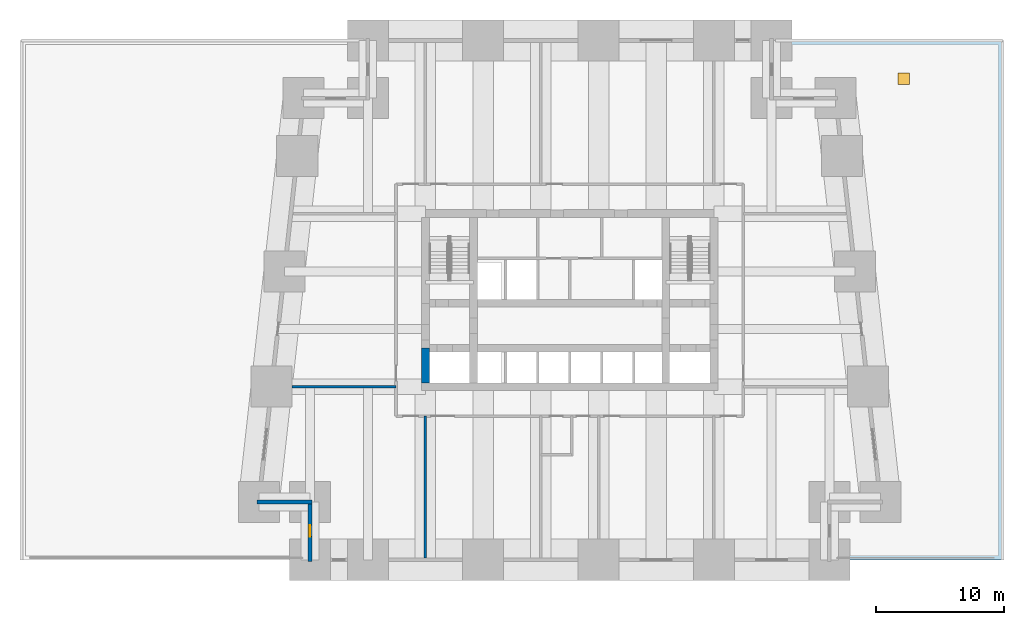
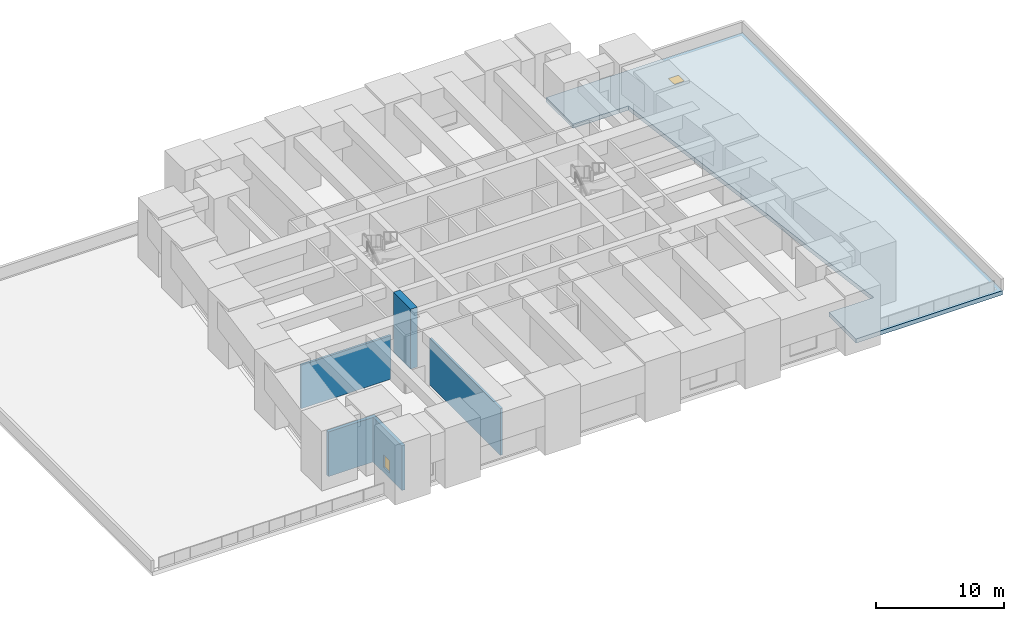
# One storey, part 2 of 7: 5 walls, 2 windows, 1 slab, 2 openings.
"""IFC4 building model written with IfcOpenShell, lengths in metres."""

from ifc_helpers import new_model, si_unit, direction, frame, frame_2d, origin, origin_2d, place, context, subcontext, project, spatial, polyline, rectangle, outline, extrude, material, layer, layer_set, type_object, element, fill, save


model = new_model("IFC4")

# Units and contexts
model_context = context("Model", 3, precision=1e-05, world=origin(), true_north=direction((0.0, 1.0)))
body_context = subcontext(model_context, "Body", "Model", "MODEL_VIEW")
ifc_project = project(units=[si_unit("LENGTHUNIT", "METRE"), si_unit("AREAUNIT", "SQUARE_METRE"), si_unit("VOLUMEUNIT", "CUBIC_METRE"), si_unit("PLANEANGLEUNIT", "RADIAN"), si_unit("MASSUNIT", "GRAM", prefix="KILO")], contexts=[model_context])

# Site, building, storey
site_placement = place(None, origin())
site = spatial("IfcSite", under=ifc_project, at=site_placement, CompositionType="ELEMENT")
building_placement = place(site_placement, origin())
building = spatial("IfcBuilding", under=site, at=building_placement, Name="Kilele Tower Hotel", CompositionType="ELEMENT")
storey_placement = place(building_placement, frame((0.0, 0.0, 24.0)))
storey = spatial("IfcBuildingStorey", under=building, at=storey_placement, Name="L04", CompositionType="ELEMENT", Elevation=24.0)

# Slab, opening, window
ifc_material_1 = material(Name="Concrete C60/75", Category="concrete")
ifc_layer_1 = layer(ifc_material_1, 0.39990234375)
ifc_layer_set_1 = layer_set([ifc_layer_1], Name="Concrete C60/75")
slab_type = type_object("IfcSlabType", Name="Roof slab 400", PredefinedType="ROOF", material=ifc_layer_set_1)
slab_placement = place(storey_placement, frame((0.0, 0.0, -0.39990234375)))
slab = element("IfcSlab", 1, at=slab_placement, inside=storey, type_object=slab_type, Name="Roof slab level L04", PredefinedType="ROOF", context=body_context, shape_type="SweptSolid", body=[
    extrude(outline(polyline([(58.5, 40.5), (58.5, 0.0), (45.301025390625, 0.0), (45.301025390625, 4.198974609375), (49.335205078125, 4.198974609375), (49.335205078125, 4.198974609375), (49.33544921875, 4.198974609375), (49.33544921875, 4.198974609375), (49.335693359375, 4.19921875), (49.335693359375, 4.19921875), (49.335693359375, 4.19921875), (49.335693359375, 4.19921875), (49.3359375, 4.19921875), (49.3359375, 4.199462890625), (49.3359375, 4.199462890625), (49.336181640625, 4.199462890625), (49.336181640625, 4.19970703125), (49.336181640625, 4.19970703125), (49.336181640625, 4.19970703125), (49.336181640625, 4.199951171875), (49.336181640625, 4.199951171875), (49.336181640625, 4.2001953125), (45.76953125, 36.300048828125), (45.76953125, 36.30029296875), (45.76953125, 36.30029296875), (45.769287109375, 36.30029296875), (45.769287109375, 36.300537109375), (45.769287109375, 36.300537109375), (45.769287109375, 36.300537109375), (45.769287109375, 36.30078125), (45.76904296875, 36.30078125), (45.76904296875, 36.30078125), (45.76904296875, 36.30078125), (45.768798828125, 36.30078125), (45.768798828125, 36.301025390625), (45.768798828125, 36.301025390625), (45.7685546875, 36.301025390625), (45.7685546875, 36.301025390625), (40.801025390625, 36.301025390625), (40.801025390625, 40.5), (58.5, 40.5)])), origin(), (0.0, 0.0, 1.0), 0.39990234375),
])
opening_1_placement = place(slab_placement, frame((50.800048828125, 37.5, 0.0)))
opening_1 = element("IfcOpeningElement", 2, at=opening_1_placement, cuts=slab, Name="Opening RH1", PredefinedType="OPENING", context=body_context, shape_type="SweptSolid", body=[
    extrude(rectangle(XDim=0.89990234375, YDim=0.89990234375, at=origin_2d()), origin(), (0.0, 0.0, 1.0), 0.39990234375),
])
ifc_material_2 = material(Name="Aluminium roof hatch", Category="aluminium")
window_type_1 = type_object("IfcWindowType", Name="Roof access hatch 900", PartitioningType="SINGLE_PANEL", PredefinedType="SKYLIGHT", material=ifc_material_2)
window_1_placement = place(opening_1_placement, frame((0.0, 0.0, 0.349853515625)))
window_1 = element("IfcWindow", 3, at=window_1_placement, inside=storey, type_object=window_type_1, Name="Roof access hatch", OverallHeight=0.89990234375, OverallWidth=0.89990234375, PartitioningType="SINGLE_PANEL", PredefinedType="SKYLIGHT", context=body_context, shape_type="SweptSolid", body=[
    extrude(rectangle(XDim=0.89990234375, YDim=0.89990234375, at=origin_2d()), origin(), (0.0, 0.0, 1.0), 0.050048828125),
])
fill(opening_1, window_1)

# Walls
ifc_material_3 = material(Name="Concrete C60/75", Category="concrete")
ifc_layer_2 = layer(ifc_material_3, 0.60009765625)
ifc_layer_set_2 = layer_set([ifc_layer_2], Name="Concrete C60/75")
wall_type_1 = type_object("IfcWallType", Name="Core wall 600 C60/75", PredefinedType="SHEAR", material=ifc_layer_set_2)
wall_1_placement = place(storey_placement, frame((13.5, 16.5, 0.0), z_axis=(0.0, 0.0, 1.0), x_axis=(0.0, -1.0, 0.0)))
element("IfcWall", 4, at=wall_1_placement, inside=storey, type_object=wall_type_1, Name="Core wall W3 L04", PredefinedType="SHEAR", context=body_context, shape_type="SweptSolid", body=[
    extrude(rectangle(XDim=2.699951171875, YDim=0.60009765625, at=frame_2d((1.35009765625, 0.0))), origin(), (0.0, 0.0, 1.0), 5.699951171875),
])
ifc_material_4 = material(Name="Blockwork, plastered both sides", Category="masonry")
ifc_layer_3 = layer(ifc_material_4, 0.199951171875)
ifc_layer_set_3 = layer_set([ifc_layer_3], Name="Blockwork, plastered both sides")
wall_type_2 = type_object("IfcWallType", Name="Partition wall 200", PredefinedType="PARTITIONING", material=ifc_layer_set_3)
wall_2_placement = place(storey_placement, frame((13.5, 11.199951171875, 0.0), z_axis=(0.0, 0.0, 1.0), x_axis=(0.0, -1.0, 0.0)))
element("IfcWall", 5, at=wall_2_placement, inside=storey, type_object=wall_type_2, Name="Partition wall 200 L04", PredefinedType="PARTITIONING", context=body_context, shape_type="SweptSolid", body=[
    extrude(rectangle(XDim=11.050048828125, YDim=0.199951171875, at=frame_2d((5.52490234375, 0.0))), origin(), (0.0, 0.0, 1.0), 4.449951171875),
])
wall_3_placement = place(storey_placement, frame((11.199951171875, 13.5, 0.0), z_axis=(0.0, 0.0, 1.0), x_axis=(-1.0, 0.0, 0.0)))
element("IfcWall", 6, at=wall_3_placement, inside=storey, type_object=wall_type_2, Name="Partition wall 200 L04", PredefinedType="PARTITIONING", context=body_context, shape_type="SweptSolid", body=[
    extrude(rectangle(XDim=8.09912109375, YDim=0.199951171875, at=frame_2d((4.049560546875, 0.0))), origin(), (0.0, 0.0, 1.0), 4.14990234375),
])
ifc_material_5 = material(Name="Concrete C40/50 precast", Category="concrete")
ifc_layer_4 = layer(ifc_material_5, 0.260009765625, Name="Precast backing", Category="LoadBearing")
ifc_material_6 = material(Name="Reconstituted stone finish", Category="masonry")
ifc_layer_5 = layer(ifc_material_6, 0.0400390625, Name="Face mix", Category="Finish")
ifc_layer_set_4 = layer_set([ifc_layer_4, ifc_layer_5], Name="Precast concrete C40/50, reconstituted stone finish")
wall_type_3 = type_object("IfcWallType", Name="Precast stone facade wall 300", PredefinedType="STANDARD", material=ifc_layer_set_4)
wall_4_placement = place(storey_placement, frame((0.35009765625, 4.5, 0.0), z_axis=(0.0, 0.0, 1.0), x_axis=(1.0, 0.0, 0.0)))
element("IfcWall", 7, at=wall_4_placement, inside=storey, type_object=wall_type_3, Name="Facade wall L04 edge 1", PredefinedType="STANDARD", context=body_context, shape_type="SweptSolid", body=[
    extrude(rectangle(XDim=4.2998046875, YDim=0.300048828125, at=frame_2d((2.14990234375, 0.0))), origin(), (0.0, 0.0, 1.0), 4.25),
])

# Wall, opening, window
wall_5_placement = place(storey_placement, frame((4.5, 4.64990234375, 0.0), z_axis=(0.0, 0.0, 1.0), x_axis=(0.0, -1.0, 0.0)))
wall_5 = element("IfcWall", 8, at=wall_5_placement, inside=storey, type_object=wall_type_3, Name="Facade wall L04 edge 2", PredefinedType="STANDARD", context=body_context, shape_type="SweptSolid", body=[
    extrude(rectangle(XDim=4.7998046875, YDim=0.300048828125, at=frame_2d((2.39990234375, 0.0))), origin(), (0.0, 0.0, 1.0), 4.25),
])
opening_2_placement = place(wall_5_placement, frame((1.949951171875, 0.0, 0.5)))
opening_2 = element("IfcOpeningElement", 9, at=opening_2_placement, cuts=wall_5, Name="Opening LV1", PredefinedType="OPENING", context=body_context, shape_type="SweptSolid", body=[
    extrude(rectangle(XDim=0.89990234375, YDim=1.199951171875, at=frame_2d((0.449951171875, 0.60009765625))), frame((0.0, 0.159912109375, 0.0), z_axis=(0.0, -1.0, 0.0), x_axis=(1.0, 0.0, 0.0)), (0.0, 0.0, 1.0), 0.320068359375),
])
ifc_material_7 = material(Name="Aluminium weather louvre with insect mesh", Category="aluminium")
window_type_2 = type_object("IfcWindowType", Name="Ventilation louvre 900 x 1200", PartitioningType="SINGLE_PANEL", PredefinedType="USERDEFINED", material=ifc_material_7)
window_2_placement = place(opening_2_placement, origin())
window_2 = element("IfcWindow", 10, at=window_2_placement, inside=storey, type_object=window_type_2, Name="Louvre L04", ObjectType="LOUVRE", OverallHeight=1.199951171875, OverallWidth=0.89990234375, PartitioningType="SINGLE_PANEL", PredefinedType="USERDEFINED", context=body_context, shape_type="SweptSolid", body=[
    extrude(rectangle(XDim=0.89990234375, YDim=1.199951171875, at=frame_2d((0.449951171875, 0.60009765625))), frame((0.0, 0.030029296875, 0.0), z_axis=(0.0, -1.0, 0.0), x_axis=(1.0, 0.0, 0.0)), (0.0, 0.0, 1.0), 0.06005859375),
])
fill(opening_2, window_2)

save(model, "model.ifc")
